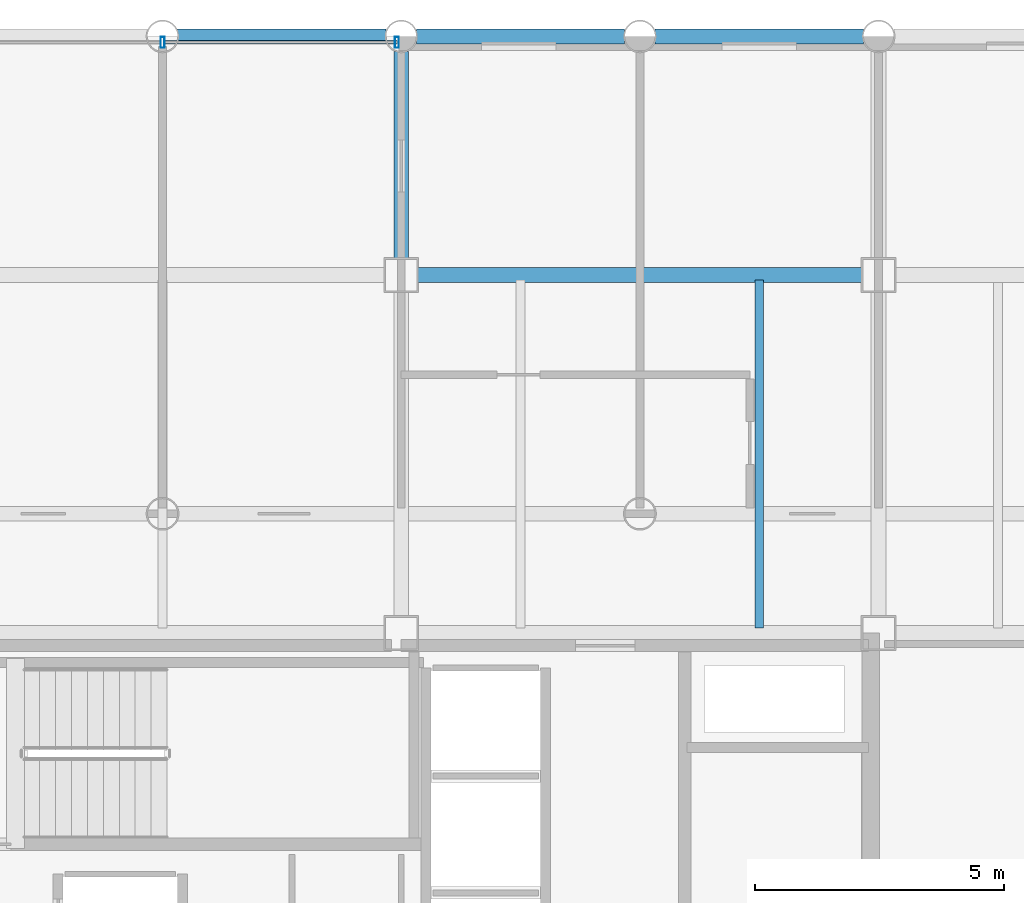
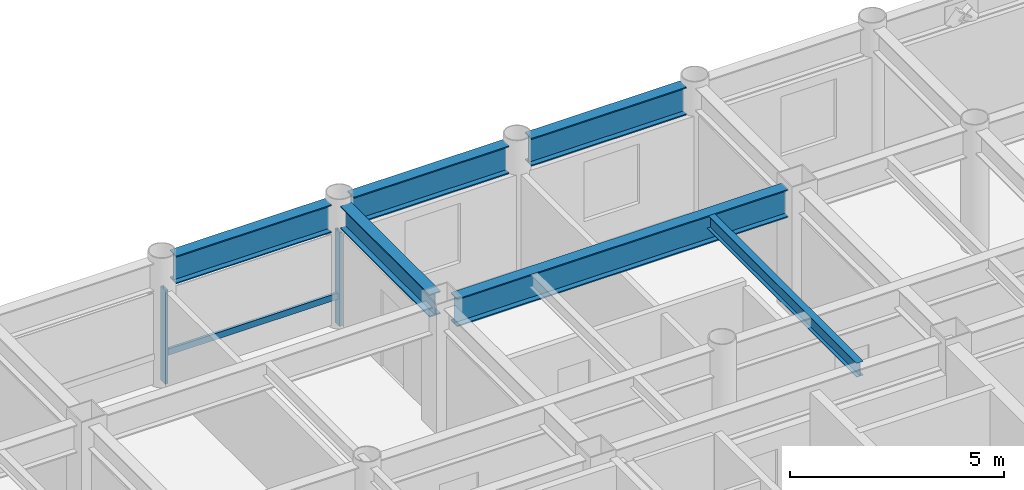
# One storey, part 12 of 20: 6 beams, 3 members, 1 element without a shape of its own.
"""IFC4 building model written with IfcOpenShell, lengths in metres."""

from ifc_helpers import new_model, si_unit, direction, frame, origin, origin_2d, place, context, subcontext, project, spatial, hollow_rectangle, i_section, extrude, material, layer, layer_set, material_profile, profile_set, type_object, element, aggregate, save


model = new_model("IFC4")

# Units and contexts
model_context = context("Model", 3, precision=1e-05, world=origin(), true_north=direction((0.0, 1.0)))
body_context = subcontext(model_context, "Body", "Model", "MODEL_VIEW")
ifc_project = project(units=[si_unit("LENGTHUNIT", "METRE"), si_unit("AREAUNIT", "SQUARE_METRE"), si_unit("VOLUMEUNIT", "CUBIC_METRE"), si_unit("PLANEANGLEUNIT", "RADIAN"), si_unit("MASSUNIT", "GRAM", prefix="KILO")], contexts=[model_context])

# Site, building, storey
site_placement = place(None, origin())
site = spatial("IfcSite", under=ifc_project, at=site_placement, CompositionType="ELEMENT")
building_placement = place(site_placement, origin())
building = spatial("IfcBuilding", under=site, at=building_placement, Name="Kallvorn Hotel Tower", CompositionType="ELEMENT")
storey_placement = place(building_placement, frame((0.0, 0.0, 158.10009765625)))
storey = spatial("IfcBuildingStorey", under=building, at=storey_placement, Name="L39", CompositionType="ELEMENT", Elevation=158.10009765625)

# Beams
ifc_material_1 = material(Name="Structural steel S355JR", Category="steel")
ifc_material_profile_1 = material_profile(ifc_material_1, i_section(OverallWidth=0.300048828125, OverallDepth=0.64990234375, WebThickness=0.01611328125, FlangeThickness=0.031005859375, at=origin_2d()), Name="HE 650 B")
ifc_profile_set_1 = profile_set([ifc_material_profile_1], Name="Structural steel S355JR")
beam_type_1 = type_object("IfcBeamType", Name="BM_HE650B", PredefinedType="BEAM", material=ifc_profile_set_1)
beam_1_placement = place(storey_placement, frame((4.800048828125, 14.72509765625, 3.19482421875), z_axis=(0.0, 1.0, 0.0), x_axis=(-1.0, 0.0, 0.0)))
element("IfcBeam", 1, at=beam_1_placement, inside=storey, type_object=beam_type_1, Name="L40 Primary Y-Girder 118", PredefinedType="BEAM", context=body_context, shape_type="SweptSolid", body=[
    extrude(i_section(OverallWidth=0.300048828125, OverallDepth=0.64990234375, WebThickness=0.01611328125, FlangeThickness=0.031005859375, at=origin_2d()), origin(), (0.0, 0.0, 1.0), 4.169921875),
])
ifc_material_2 = material(Name="Structural steel S355JR", Category="steel")
ifc_material_profile_2 = material_profile(ifc_material_2, i_section(OverallWidth=0.300048828125, OverallDepth=0.800048828125, WebThickness=0.017578125, FlangeThickness=0.032958984375, at=origin_2d()), Name="HE 800 B")
ifc_profile_set_2 = profile_set([ifc_material_profile_2], Name="Structural steel S355JR")
beam_type_2 = type_object("IfcBeamType", Name="BM_HE800B", PredefinedType="BEAM", material=ifc_profile_set_2)
beam_2_placement = place(storey_placement, frame((5.125, 14.39990234375, 3.119873046875), z_axis=(1.0, 0.0, 0.0), x_axis=(0.0, 1.0, 0.0)))
element("IfcBeam", 2, at=beam_2_placement, inside=storey, type_object=beam_type_2, Name="L40 Primary X-Girder 57", PredefinedType="BEAM", context=body_context, shape_type="SweptSolid", body=[
    extrude(i_section(OverallWidth=0.300048828125, OverallDepth=0.800048828125, WebThickness=0.017578125, FlangeThickness=0.032958984375, at=origin_2d()), origin(), (0.0, 0.0, 1.0), 8.949951171875),
])
beam_3_placement = place(storey_placement, frame((0.304931640625, 19.199951171875, 3.119873046875), z_axis=(1.0, 0.0, 0.0), x_axis=(0.0, 1.0, 0.0)))
element("IfcBeam", 3, at=beam_3_placement, inside=storey, type_object=beam_type_2, Name="L40 Primary X-Girder 67", PredefinedType="BEAM", context=body_context, shape_type="SweptSolid", body=[
    extrude(i_section(OverallWidth=0.300048828125, OverallDepth=0.800048828125, WebThickness=0.017578125, FlangeThickness=0.032958984375, at=origin_2d()), origin(), (0.0, 0.0, 1.0), 4.190185546875),
])
for number, where, z_axis, x_axis, name in (
    (4, (5.10498046875, 19.199951171875, 3.119873046875), (1.0, 0.0, 0.0), (0.0, 1.0, 0.0), "L40 Primary X-Girder 68"),
    (5, (9.905029296875, 19.199951171875, 3.119873046875), (1.0, 0.0, 0.0), (0.0, 1.0, 0.0), "L40 Primary X-Girder 69"),
):
    element("IfcBeam", number, at=place(storey_placement, frame(where, z_axis=z_axis, x_axis=x_axis)), inside=storey, type_object=beam_type_2, Name=name, PredefinedType="BEAM", context=body_context, shape_type="SweptSolid", body=[
        extrude(i_section(OverallWidth=0.300048828125, OverallDepth=0.800048828125, WebThickness=0.017578125, FlangeThickness=0.032958984375, at=origin_2d()), origin(), (0.0, 0.0, 1.0), 4.18994140625),
    ])
ifc_material_3 = material(Name="Structural steel S355JR", Category="steel")
ifc_material_profile_3 = material_profile(ifc_material_3, i_section(OverallWidth=0.179931640625, OverallDepth=0.39990234375, WebThickness=0.008544921875, FlangeThickness=0.013427734375, at=origin_2d()), Name="IPE 400")
ifc_profile_set_3 = profile_set([ifc_material_profile_3], Name="Structural steel S355JR")
beam_type_3 = type_object("IfcBeamType", Name="BM_IPE400", PredefinedType="JOIST", material=ifc_profile_set_3)
beam_4_placement = place(storey_placement, frame((12.0, 7.300048828125, 3.31982421875), z_axis=(0.0, 1.0, 0.0), x_axis=(-1.0, 0.0, 0.0)))
element("IfcBeam", 6, at=beam_4_placement, inside=storey, type_object=beam_type_3, Name="L40 Secondary Composite Joist 205", PredefinedType="JOIST", context=body_context, shape_type="SweptSolid", body=[
    extrude(i_section(OverallWidth=0.179931640625, OverallDepth=0.39990234375, WebThickness=0.008544921875, FlangeThickness=0.013427734375, at=origin_2d()), origin(), (0.0, 0.0, 1.0), 7.0),
])

# Curtain wall, members
ifc_material_4 = material(Name="Thermally broken black-anodised aluminium AA 6063-T6", Category="aluminium")
ifc_layer = layer(ifc_material_4, 0.2099609375)
ifc_layer_set = layer_set([ifc_layer], Name="CW_SYS_4_HOTEL_MID")
curtain_wall_type = type_object("IfcCurtainWallType", Name="CW_SYS_4_HOTEL_MID", PredefinedType="USERDEFINED", material=ifc_layer_set)
curtain_wall_placement = place(storey_placement, origin())
curtain_wall = element("IfcCurtainWall", 7, at=curtain_wall_placement, inside=storey, type_object=curtain_wall_type, Name="L39 Dark-Glass Curtain Wall CW-L39-NC", ObjectType="UNITISED CURTAIN WALL", PredefinedType="USERDEFINED")
ifc_material_5 = material(Name="Thermally broken black-anodised aluminium AA 6063-T6", Category="aluminium")
ifc_material_profile_4 = material_profile(ifc_material_5, hollow_rectangle(XDim=0.080078125, YDim=0.219970703125, WallThickness=0.0048828125, at=origin_2d()), Name="MUL 220x80")
ifc_profile_set_4 = profile_set([ifc_material_profile_4], Name="Thermally broken black-anodised aluminium AA 6063-T6")
member_type_1 = type_object("IfcMemberType", Name="CW_MULLION_220x80", PredefinedType="MULLION", material=ifc_profile_set_4)
member_1_placement = place(storey_placement, frame((0.0, 19.080078125, 0.02001953125), z_axis=(0.0, 0.0, 1.0), x_axis=(1.0, 0.0, 0.0)))
member_1 = element("IfcMember", 8, at=member_1_placement, type_object=member_type_1, Name="CW-L39-NC Mullion 01", PredefinedType="MULLION", context=body_context, shape_type="SweptSolid", body=[
    extrude(hollow_rectangle(XDim=0.080078125, YDim=0.219970703125, WallThickness=0.0048828125, at=origin_2d()), origin(), (0.0, 0.0, 1.0), 2.679931640625),
])
member_2_placement = place(storey_placement, frame((4.7099609375, 19.080078125, 0.02001953125), z_axis=(0.0, 0.0, 1.0), x_axis=(1.0, 0.0, 0.0)))
member_2 = element("IfcMember", 9, at=member_2_placement, type_object=member_type_1, Name="CW-L39-NC Mullion 02", PredefinedType="MULLION", context=body_context, shape_type="SweptSolid", body=[
    extrude(hollow_rectangle(XDim=0.080078125, YDim=0.219970703125, WallThickness=0.0048828125, at=origin_2d()), origin(), (0.0, 0.0, 1.0), 2.679931640625),
])
ifc_material_6 = material(Name="Thermally broken black-anodised aluminium AA 6063-T6", Category="aluminium")
ifc_material_profile_5 = material_profile(ifc_material_6, hollow_rectangle(XDim=0.070068359375, YDim=0.179931640625, WallThickness=0.00390625, at=origin_2d()), Name="TRN 180x70")
ifc_profile_set_5 = profile_set([ifc_material_profile_5], Name="Thermally broken black-anodised aluminium AA 6063-T6")
member_type_2 = type_object("IfcMemberType", Name="CW_TRANSOM_180x70", PredefinedType="USERDEFINED", material=ifc_profile_set_5)
member_3_placement = place(storey_placement, frame((0.0400390625, 19.080078125, 0.849853515625), z_axis=(1.0, 0.0, 0.0), x_axis=(0.0, 1.0, 0.0)))
member_3 = element("IfcMember", 10, at=member_3_placement, type_object=member_type_2, Name="CW-L39-NC Transom 01M", ObjectType="TRANSOM", PredefinedType="USERDEFINED", context=body_context, shape_type="SweptSolid", body=[
    extrude(hollow_rectangle(XDim=0.070068359375, YDim=0.179931640625, WallThickness=0.00390625, at=origin_2d()), origin(), (0.0, 0.0, 1.0), 4.669921875),
])
aggregate(curtain_wall, [member_1, member_2, member_3])

save(model, "model.ifc")
